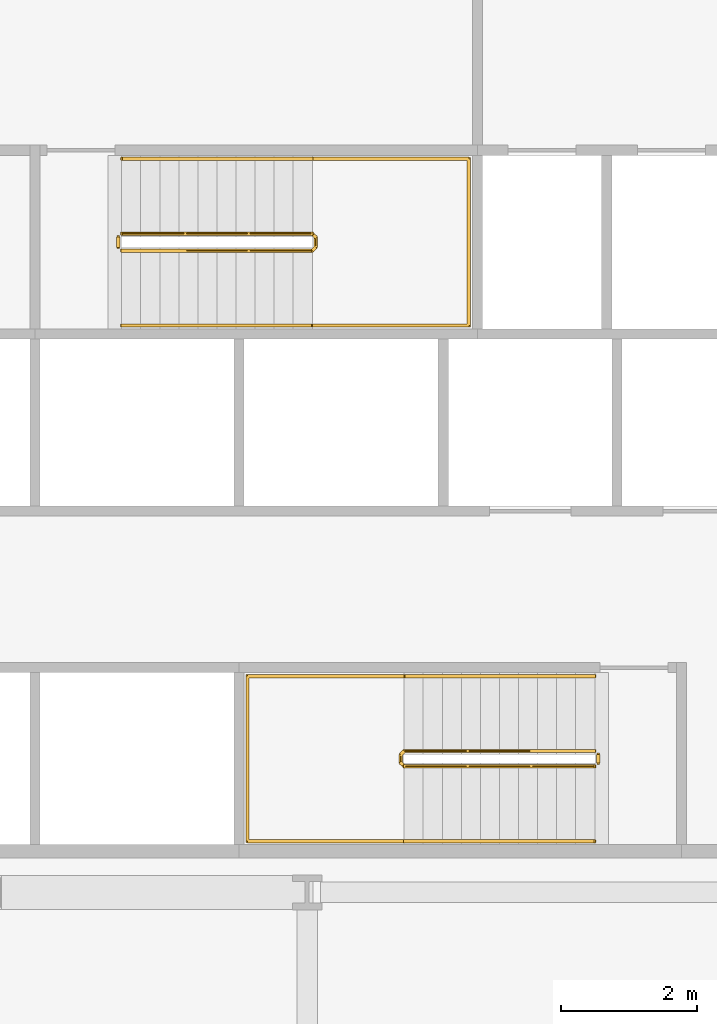
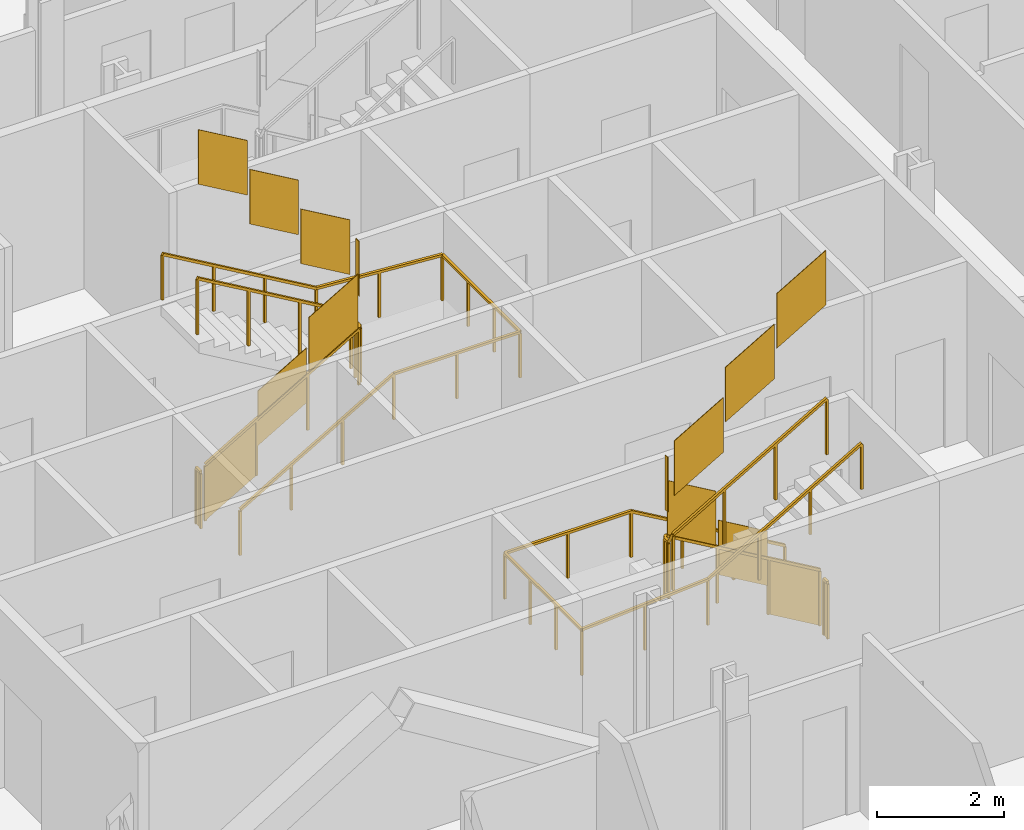
# One storey, part 18 of 21: 6 railings.
"""IFC4 building model written with IfcOpenShell, lengths in metres."""

from ifc_helpers import new_model, si_unit, direction, frame, origin, origin_2d, place, context, subcontext, project, spatial, polyline, rectangle, outline, extrude, material, type_object, element, save


model = new_model("IFC4")

# Units and contexts
model_context = context("Model", 3, precision=1e-05, world=origin(), true_north=direction((0.0, 1.0)))
body_context = subcontext(model_context, "Body", "Model", "MODEL_VIEW")
ifc_project = project(units=[si_unit("LENGTHUNIT", "METRE"), si_unit("AREAUNIT", "SQUARE_METRE"), si_unit("VOLUMEUNIT", "CUBIC_METRE"), si_unit("PLANEANGLEUNIT", "RADIAN"), si_unit("MASSUNIT", "GRAM", prefix="KILO")], contexts=[model_context])

# Site, building, storey
site_placement = place(None, origin())
site = spatial("IfcSite", under=ifc_project, at=site_placement, CompositionType="ELEMENT")
building_placement = place(site_placement, origin())
building = spatial("IfcBuilding", under=site, at=building_placement, Name="Cairn Pilgrim Tower", CompositionType="ELEMENT")
storey_placement = place(building_placement, frame((0.0, 0.0, 69.0)))
storey = spatial("IfcBuildingStorey", under=building, at=storey_placement, Name="L15", CompositionType="ELEMENT", Elevation=69.0)

# Railings
ifc_material = material(Name="Painted steel", Category="steel")
railing_type_1 = type_object("IfcRailingType", Name="STAIR GUARD 1100", PredefinedType="GUARDRAIL", material=ifc_material)
railing_1_placement = place(storey_placement, frame((11.425048828125, -3.925048828125, 0.16357421875)))
element("IfcRailing", 1, at=railing_1_placement, inside=storey, type_object=railing_type_1, Name="L15 ST-A stair guard 1", PredefinedType="GUARDRAIL", context=body_context, shape_type="SweptSolid", body=[
    extrude(rectangle(XDim=0.048095703125, YDim=0.048095703125, at=origin_2d()), frame((0.0, 0.0, 1.076171875), z_axis=(-0.863360870873, 0.0, 0.504586966384), x_axis=(0.0, -1.0, 0.0)), (0.0, 0.0, 1.0), 3.2431640625),
    extrude(rectangle(XDim=0.048095703125, YDim=0.048095703125, at=origin_2d()), frame((-2.800048828125, 0.0, 2.71240234375), z_axis=(-0.707106781187, -0.707106781187, 0.0), x_axis=(0.707106781187, -0.707106781187, 0.0)), (0.0, 0.0, 1.0), 0.07080078125),
    extrude(rectangle(XDim=0.048095703125, YDim=0.048095703125, at=origin_2d()), frame((-2.85009765625, -0.050048828125, 2.71240234375), z_axis=(0.0, -1.0, 0.0), x_axis=(1.0, 0.0, 0.0)), (0.0, 0.0, 1.0), 0.125),
    extrude(rectangle(XDim=0.048095703125, YDim=0.048095703125, at=origin_2d()), frame((-2.85009765625, -0.175048828125, 2.71240234375), z_axis=(0.280916556609, -0.279546231943, 0.91811752648), x_axis=(0.705375805398, 0.708833529934, 0.0)), (0.0, 0.0, 1.0), 0.17822265625),
    extrude(rectangle(XDim=0.048095703125, YDim=0.048095703125, at=origin_2d()), frame((-2.800048828125, -0.224853515625, 2.8759765625), z_axis=(0.863360870873, 0.0, 0.504586966384), x_axis=(0.0, 1.0, 0.0)), (0.0, 0.0, 1.0), 3.2431640625),
    extrude(rectangle(XDim=0.0419921875, YDim=0.0419921875, at=origin_2d()), origin(), (0.0, 0.0, 1.0), 1.052001953125),
    extrude(rectangle(XDim=0.0419921875, YDim=0.0419921875, at=origin_2d()), frame((-0.933349609375, 0.0, 0.54541015625)), (0.0, 0.0, 1.0), 1.052001953125),
    extrude(rectangle(XDim=0.0419921875, YDim=0.0419921875, at=origin_2d()), frame((-1.86669921875, 0.0, 1.091064453125)), (0.0, 0.0, 1.0), 1.052001953125),
    extrude(rectangle(XDim=0.0419921875, YDim=0.0419921875, at=origin_2d()), frame((-2.800048828125, 0.0, 1.636474609375)), (0.0, 0.0, 1.0), 1.052001953125),
    extrude(rectangle(XDim=0.0419921875, YDim=0.0419921875, at=origin_2d()), frame((-2.85009765625, -0.050048828125, 1.636474609375)), (0.0, 0.0, 1.0), 1.052001953125),
    extrude(rectangle(XDim=0.0419921875, YDim=0.0419921875, at=origin_2d()), frame((-2.85009765625, -0.175048828125, 1.636474609375)), (0.0, 0.0, 1.0), 1.052001953125),
    extrude(rectangle(XDim=0.0419921875, YDim=0.0419921875, at=origin_2d()), frame((-2.800048828125, -0.224853515625, 1.800048828125)), (0.0, 0.0, 1.0), 1.052001953125),
    extrude(rectangle(XDim=0.0419921875, YDim=0.0419921875, at=origin_2d()), frame((-1.86669921875, -0.224853515625, 2.345458984375)), (0.0, 0.0, 1.0), 1.052001953125),
    extrude(rectangle(XDim=0.0419921875, YDim=0.0419921875, at=origin_2d()), frame((-0.933349609375, -0.224853515625, 2.89111328125)), (0.0, 0.0, 1.0), 1.052001953125),
    extrude(rectangle(XDim=0.0419921875, YDim=0.0419921875, at=origin_2d()), frame((0.0, -0.224853515625, 3.4365234375)), (0.0, 0.0, 1.0), 1.052001953125),
    extrude(outline(polyline([(0.02099609375, 0.01220703125), (0.912353515625, 0.533203125), (0.912353515625, 1.585205078125), (0.02099609375, 1.064208984375), (0.02099609375, 0.01220703125)])), frame((0.0, -0.005859375, 0.0), z_axis=(0.0, 1.0, 0.0), x_axis=(-1.0, 0.0, 0.0)), (0.0, 0.0, 1.0), 0.011962890625),
    extrude(outline(polyline([(0.02099609375, 0.557861328125), (0.912353515625, 1.07861328125), (0.912353515625, 2.130615234375), (0.02099609375, 1.60986328125), (0.02099609375, 0.557861328125)])), frame((-0.933349609375, -0.005859375, 0.54541015625), z_axis=(0.0, 1.0, 0.0), x_axis=(-1.0, 0.0, 0.0)), (0.0, 0.0, 1.0), 0.011962890625),
    extrude(outline(polyline([(0.02099609375, 1.103271484375), (0.912353515625, 1.624267578125), (0.912353515625, 2.67626953125), (0.02099609375, 2.1552734375), (0.02099609375, 1.103271484375)])), frame((-1.86669921875, -0.005859375, 1.091064453125), z_axis=(0.0, 1.0, 0.0), x_axis=(-1.0, 0.0, 0.0)), (0.0, 0.0, 1.0), 0.011962890625),
    extrude(outline(polyline([(0.02099609375, 1.636474609375), (0.10400390625, 1.636474609375), (0.10400390625, 2.6884765625), (0.02099609375, 2.6884765625), (0.02099609375, 1.636474609375)])), frame((-2.84423828125, -0.050048828125, 1.636474609375), z_axis=(-1.0, 0.0, 0.0), x_axis=(0.0, -1.0, 0.0)), (0.0, 0.0, 1.0), 0.011962890625),
    extrude(outline(polyline([(0.02099609375, 1.812255859375), (0.912353515625, 2.333251953125), (0.912353515625, 3.38525390625), (0.02099609375, 2.8642578125), (0.02099609375, 1.812255859375)])), frame((-2.800048828125, -0.21875, 1.800048828125), z_axis=(0.0, -1.0, 0.0), x_axis=(1.0, 0.0, 0.0)), (0.0, 0.0, 1.0), 0.011962890625),
    extrude(outline(polyline([(0.02099609375, 2.35791015625), (0.912353515625, 2.878662109375), (0.912353515625, 3.9306640625), (0.02099609375, 3.409912109375), (0.02099609375, 2.35791015625)])), frame((-1.86669921875, -0.21875, 2.345458984375), z_axis=(0.0, -1.0, 0.0), x_axis=(1.0, 0.0, 0.0)), (0.0, 0.0, 1.0), 0.011962890625),
    extrude(outline(polyline([(0.02099609375, 2.9033203125), (0.912353515625, 3.42431640625), (0.912353515625, 4.476318359375), (0.02099609375, 3.955322265625), (0.02099609375, 2.9033203125)])), frame((-0.933349609375, -0.21875, 2.89111328125), z_axis=(0.0, -1.0, 0.0), x_axis=(1.0, 0.0, 0.0)), (0.0, 0.0, 1.0), 0.011962890625),
])
railing_2_placement = place(storey_placement, frame((11.47509765625, -3.97509765625, 0.0)))
element("IfcRailing", 2, at=railing_2_placement, inside=storey, type_object=railing_type_1, Name="L15 ST-A stair guard 2", PredefinedType="GUARDRAIL", context=body_context, shape_type="SweptSolid", body=[
    extrude(rectangle(XDim=0.048095703125, YDim=0.048095703125, at=origin_2d()), frame((0.0, 0.0, 1.076171875), z_axis=(0.0, -1.0, 0.0), x_axis=(1.0, 0.0, 0.0)), (0.0, 0.0, 1.0), 0.125),
    extrude(rectangle(XDim=0.0419921875, YDim=0.0419921875, at=origin_2d()), origin(), (0.0, 0.0, 1.0), 1.052001953125),
    extrude(rectangle(XDim=0.0419921875, YDim=0.0419921875, at=origin_2d()), frame((0.0, -0.125, 0.0)), (0.0, 0.0, 1.0), 1.052001953125),
    extrude(outline(polyline([(0.02099609375, 0.0), (0.10400390625, 0.0), (0.10400390625, 1.052001953125), (0.02099609375, 1.052001953125), (0.02099609375, 0.0)])), frame((0.005859375, 0.0, 0.0), z_axis=(-1.0, 0.0, 0.0), x_axis=(0.0, -1.0, 0.0)), (0.0, 0.0, 1.0), 0.011962890625),
])
railing_3_placement = place(storey_placement, frame((4.47509765625, 3.425048828125, 0.16357421875)))
element("IfcRailing", 3, at=railing_3_placement, inside=storey, type_object=railing_type_1, Name="L15 ST-B stair guard 1", PredefinedType="GUARDRAIL", context=body_context, shape_type="SweptSolid", body=[
    extrude(rectangle(XDim=0.048095703125, YDim=0.048095703125, at=origin_2d()), frame((0.0, 0.0, 1.076171875), z_axis=(0.863341702679, 0.0, 0.504619762213), x_axis=(0.0, 1.0, 0.0)), (0.0, 0.0, 1.0), 3.242919921875),
    extrude(rectangle(XDim=0.048095703125, YDim=0.048095703125, at=origin_2d()), frame((2.7998046875, 0.0, 2.71240234375), z_axis=(0.707106781187, 0.707106781187, 0.0), x_axis=(-0.707106781187, 0.707106781187, 0.0)), (0.0, 0.0, 1.0), 0.07080078125),
    extrude(rectangle(XDim=0.048095703125, YDim=0.048095703125, at=origin_2d()), frame((2.849853515625, 0.050048828125, 2.71240234375), z_axis=(0.0, 1.0, 0.0), x_axis=(-1.0, 0.0, 0.0)), (0.0, 0.0, 1.0), 0.14990234375),
    extrude(rectangle(XDim=0.048095703125, YDim=0.048095703125, at=origin_2d()), frame((2.849853515625, 0.199951171875, 2.71240234375), z_axis=(-0.280808744504, 0.280808744504, 0.917765164963), x_axis=(-0.707106781187, -0.707106781187, 0.0)), (0.0, 0.0, 1.0), 0.17822265625),
    extrude(rectangle(XDim=0.048095703125, YDim=0.048095703125, at=origin_2d()), frame((2.7998046875, 0.25, 2.8759765625), z_axis=(-0.863341702679, 0.0, 0.504619762213), x_axis=(0.0, -1.0, 0.0)), (0.0, 0.0, 1.0), 3.242919921875),
    extrude(rectangle(XDim=0.0419921875, YDim=0.0419921875, at=origin_2d()), origin(), (0.0, 0.0, 1.0), 1.052001953125),
    extrude(rectangle(XDim=0.0419921875, YDim=0.0419921875, at=origin_2d()), frame((0.933349609375, 0.0, 0.54541015625)), (0.0, 0.0, 1.0), 1.052001953125),
    extrude(rectangle(XDim=0.0419921875, YDim=0.0419921875, at=origin_2d()), frame((1.866455078125, 0.0, 1.091064453125)), (0.0, 0.0, 1.0), 1.052001953125),
    extrude(rectangle(XDim=0.0419921875, YDim=0.0419921875, at=origin_2d()), frame((2.7998046875, 0.0, 1.636474609375)), (0.0, 0.0, 1.0), 1.052001953125),
    extrude(rectangle(XDim=0.0419921875, YDim=0.0419921875, at=origin_2d()), frame((2.849853515625, 0.050048828125, 1.636474609375)), (0.0, 0.0, 1.0), 1.052001953125),
    extrude(rectangle(XDim=0.0419921875, YDim=0.0419921875, at=origin_2d()), frame((2.849853515625, 0.199951171875, 1.636474609375)), (0.0, 0.0, 1.0), 1.052001953125),
    extrude(rectangle(XDim=0.0419921875, YDim=0.0419921875, at=origin_2d()), frame((2.7998046875, 0.25, 1.800048828125)), (0.0, 0.0, 1.0), 1.052001953125),
    extrude(rectangle(XDim=0.0419921875, YDim=0.0419921875, at=origin_2d()), frame((1.866455078125, 0.25, 2.345458984375)), (0.0, 0.0, 1.0), 1.052001953125),
    extrude(rectangle(XDim=0.0419921875, YDim=0.0419921875, at=origin_2d()), frame((0.933349609375, 0.25, 2.89111328125)), (0.0, 0.0, 1.0), 1.052001953125),
    extrude(rectangle(XDim=0.0419921875, YDim=0.0419921875, at=origin_2d()), frame((0.0, 0.25, 3.4365234375)), (0.0, 0.0, 1.0), 1.052001953125),
    extrude(outline(polyline([(0.02099609375, 0.01220703125), (0.912353515625, 0.533203125), (0.912353515625, 1.585205078125), (0.02099609375, 1.064208984375), (0.02099609375, 0.01220703125)])), frame((0.0, 0.005859375, 0.0), z_axis=(0.0, -1.0, 0.0), x_axis=(1.0, 0.0, 0.0)), (0.0, 0.0, 1.0), 0.011962890625),
    extrude(outline(polyline([(0.02099609375, 0.557861328125), (0.912353515625, 1.07861328125), (0.912353515625, 2.130615234375), (0.02099609375, 1.60986328125), (0.02099609375, 0.557861328125)])), frame((0.933349609375, 0.005859375, 0.54541015625), z_axis=(0.0, -1.0, 0.0), x_axis=(1.0, 0.0, 0.0)), (0.0, 0.0, 1.0), 0.011962890625),
    extrude(outline(polyline([(0.02099609375, 1.103271484375), (0.912353515625, 1.624267578125), (0.912353515625, 2.67626953125), (0.02099609375, 2.1552734375), (0.02099609375, 1.103271484375)])), frame((1.866455078125, 0.005859375, 1.091064453125), z_axis=(0.0, -1.0, 0.0), x_axis=(1.0, 0.0, 0.0)), (0.0, 0.0, 1.0), 0.011962890625),
    extrude(outline(polyline([(0.02099609375, 1.636474609375), (0.12890625, 1.636474609375), (0.12890625, 2.6884765625), (0.02099609375, 2.6884765625), (0.02099609375, 1.636474609375)])), frame((2.84375, 0.050048828125, 1.636474609375), z_axis=(1.0, 0.0, 0.0), x_axis=(0.0, 1.0, 0.0)), (0.0, 0.0, 1.0), 0.011962890625),
    extrude(outline(polyline([(0.02099609375, 1.812255859375), (0.912353515625, 2.333251953125), (0.912353515625, 3.38525390625), (0.02099609375, 2.8642578125), (0.02099609375, 1.812255859375)])), frame((2.7998046875, 0.244140625, 1.800048828125), z_axis=(0.0, 1.0, 0.0), x_axis=(-1.0, 0.0, 0.0)), (0.0, 0.0, 1.0), 0.011962890625),
    extrude(outline(polyline([(0.02099609375, 2.35791015625), (0.912353515625, 2.878662109375), (0.912353515625, 3.9306640625), (0.02099609375, 3.409912109375), (0.02099609375, 2.35791015625)])), frame((1.866455078125, 0.244140625, 2.345458984375), z_axis=(0.0, 1.0, 0.0), x_axis=(-1.0, 0.0, 0.0)), (0.0, 0.0, 1.0), 0.011962890625),
    extrude(outline(polyline([(0.02099609375, 2.9033203125), (0.912353515625, 3.42431640625), (0.912353515625, 4.476318359375), (0.02099609375, 3.955322265625), (0.02099609375, 2.9033203125)])), frame((0.933349609375, 0.244140625, 2.89111328125), z_axis=(0.0, 1.0, 0.0), x_axis=(-1.0, 0.0, 0.0)), (0.0, 0.0, 1.0), 0.011962890625),
])
railing_4_placement = place(storey_placement, frame((4.425048828125, 3.47509765625, 0.0)))
element("IfcRailing", 4, at=railing_4_placement, inside=storey, type_object=railing_type_1, Name="L15 ST-B stair guard 2", PredefinedType="GUARDRAIL", context=body_context, shape_type="SweptSolid", body=[
    extrude(rectangle(XDim=0.048095703125, YDim=0.048095703125, at=origin_2d()), frame((0.0, 0.0, 1.076171875), z_axis=(0.0, 1.0, 0.0), x_axis=(-1.0, 0.0, 0.0)), (0.0, 0.0, 1.0), 0.14990234375),
    extrude(rectangle(XDim=0.0419921875, YDim=0.0419921875, at=origin_2d()), origin(), (0.0, 0.0, 1.0), 1.052001953125),
    extrude(rectangle(XDim=0.0419921875, YDim=0.0419921875, at=origin_2d()), frame((0.0, 0.14990234375, 0.0)), (0.0, 0.0, 1.0), 1.052001953125),
    extrude(outline(polyline([(0.02099609375, 0.0), (0.12890625, 0.0), (0.12890625, 1.052001953125), (0.02099609375, 1.052001953125), (0.02099609375, 0.0)])), frame((-0.005859375, 0.0, 0.0), z_axis=(1.0, 0.0, 0.0), x_axis=(0.0, 1.0, 0.0)), (0.0, 0.0, 1.0), 0.011962890625),
])
railing_type_2 = type_object("IfcRailingType", Name="STAIR HANDRAIL 900", PredefinedType="HANDRAIL", material=ifc_material)
railing_5_placement = place(storey_placement, frame((11.425048828125, -2.824951171875, 0.16357421875)))
element("IfcRailing", 5, at=railing_5_placement, inside=storey, type_object=railing_type_2, Name="L15 ST-A stair handrail 1", PredefinedType="HANDRAIL", context=body_context, shape_type="SweptSolid", body=[
    extrude(rectangle(XDim=0.048095703125, YDim=0.048095703125, at=origin_2d()), frame((0.0, 0.0, 0.8759765625), z_axis=(-0.863360870873, 0.0, 0.504586966384), x_axis=(0.0, -1.0, 0.0)), (0.0, 0.0, 1.0), 3.2431640625),
    extrude(rectangle(XDim=0.048095703125, YDim=0.048095703125, at=origin_2d()), frame((-2.800048828125, 0.0, 2.51220703125), z_axis=(-1.0, 0.0, 0.0), x_axis=(0.0, -1.0, 0.0)), (0.0, 0.0, 1.0), 2.300048828125),
    extrude(rectangle(XDim=0.048095703125, YDim=0.048095703125, at=origin_2d()), frame((-5.10009765625, 0.0, 2.51220703125), z_axis=(0.0, -1.0, 0.0), x_axis=(1.0, 0.0, 0.0)), (0.0, 0.0, 1.0), 2.425048828125),
    extrude(rectangle(XDim=0.048095703125, YDim=0.048095703125, at=origin_2d()), frame((-5.10009765625, -2.425048828125, 2.51220703125), z_axis=(0.997480687736, 0.0, 0.070938548008), x_axis=(0.0, 1.0, 0.0)), (0.0, 0.0, 1.0), 2.305908203125),
    extrude(rectangle(XDim=0.048095703125, YDim=0.048095703125, at=origin_2d()), frame((-2.800048828125, -2.425048828125, 2.67578125), z_axis=(0.863360870873, 0.0, 0.504586966384), x_axis=(0.0, 1.0, 0.0)), (0.0, 0.0, 1.0), 3.2431640625),
    extrude(rectangle(XDim=0.0419921875, YDim=0.0419921875, at=origin_2d()), origin(), (0.0, 0.0, 1.0), 0.851806640625),
    extrude(rectangle(XDim=0.0419921875, YDim=0.0419921875, at=origin_2d()), frame((-0.933349609375, 0.0, 0.54541015625)), (0.0, 0.0, 1.0), 0.851806640625),
    extrude(rectangle(XDim=0.0419921875, YDim=0.0419921875, at=origin_2d()), frame((-1.86669921875, 0.0, 1.091064453125)), (0.0, 0.0, 1.0), 0.851806640625),
    extrude(rectangle(XDim=0.0419921875, YDim=0.0419921875, at=origin_2d()), frame((-2.800048828125, 0.0, 1.636474609375)), (0.0, 0.0, 1.0), 0.851806640625),
    extrude(rectangle(XDim=0.0419921875, YDim=0.0419921875, at=origin_2d()), frame((-3.9501953125, 0.0, 1.636474609375)), (0.0, 0.0, 1.0), 0.851806640625),
    extrude(rectangle(XDim=0.0419921875, YDim=0.0419921875, at=origin_2d()), frame((-5.10009765625, 0.0, 1.636474609375)), (0.0, 0.0, 1.0), 0.851806640625),
    extrude(rectangle(XDim=0.0419921875, YDim=0.0419921875, at=origin_2d()), frame((-5.10009765625, -0.808349609375, 1.636474609375)), (0.0, 0.0, 1.0), 0.851806640625),
    extrude(rectangle(XDim=0.0419921875, YDim=0.0419921875, at=origin_2d()), frame((-5.10009765625, -1.61669921875, 1.636474609375)), (0.0, 0.0, 1.0), 0.851806640625),
    extrude(rectangle(XDim=0.0419921875, YDim=0.0419921875, at=origin_2d()), frame((-5.10009765625, -2.425048828125, 1.636474609375)), (0.0, 0.0, 1.0), 0.851806640625),
    extrude(rectangle(XDim=0.0419921875, YDim=0.0419921875, at=origin_2d()), frame((-3.9501953125, -2.425048828125, 1.71826171875)), (0.0, 0.0, 1.0), 0.851806640625),
    extrude(rectangle(XDim=0.0419921875, YDim=0.0419921875, at=origin_2d()), frame((-2.800048828125, -2.425048828125, 1.800048828125)), (0.0, 0.0, 1.0), 0.851806640625),
    extrude(rectangle(XDim=0.0419921875, YDim=0.0419921875, at=origin_2d()), frame((-1.86669921875, -2.425048828125, 2.345458984375)), (0.0, 0.0, 1.0), 0.851806640625),
    extrude(rectangle(XDim=0.0419921875, YDim=0.0419921875, at=origin_2d()), frame((-0.933349609375, -2.425048828125, 2.89111328125)), (0.0, 0.0, 1.0), 0.851806640625),
    extrude(rectangle(XDim=0.0419921875, YDim=0.0419921875, at=origin_2d()), frame((0.0, -2.425048828125, 3.4365234375)), (0.0, 0.0, 1.0), 0.851806640625),
])
railing_6_placement = place(storey_placement, frame((4.47509765625, 2.324951171875, 0.16357421875)))
element("IfcRailing", 6, at=railing_6_placement, inside=storey, type_object=railing_type_2, Name="L15 ST-B stair handrail 1", PredefinedType="HANDRAIL", context=body_context, shape_type="SweptSolid", body=[
    extrude(rectangle(XDim=0.048095703125, YDim=0.048095703125, at=origin_2d()), frame((0.0, 0.0, 0.8759765625), z_axis=(0.863341702679, 0.0, 0.504619762213), x_axis=(0.0, 1.0, 0.0)), (0.0, 0.0, 1.0), 3.242919921875),
    extrude(rectangle(XDim=0.048095703125, YDim=0.048095703125, at=origin_2d()), frame((2.7998046875, 0.0, 2.51220703125), z_axis=(1.0, 0.0, 0.0), x_axis=(0.0, 1.0, 0.0)), (0.0, 0.0, 1.0), 2.300048828125),
    extrude(rectangle(XDim=0.048095703125, YDim=0.048095703125, at=origin_2d()), frame((5.099853515625, 0.0, 2.51220703125), z_axis=(0.0, 1.0, 0.0), x_axis=(-1.0, 0.0, 0.0)), (0.0, 0.0, 1.0), 2.449951171875),
    extrude(rectangle(XDim=0.048095703125, YDim=0.048095703125, at=origin_2d()), frame((5.099853515625, 2.449951171875, 2.51220703125), z_axis=(-0.997480687736, 0.0, 0.070938548008), x_axis=(0.0, -1.0, 0.0)), (0.0, 0.0, 1.0), 2.305908203125),
    extrude(rectangle(XDim=0.048095703125, YDim=0.048095703125, at=origin_2d()), frame((2.7998046875, 2.449951171875, 2.67578125), z_axis=(-0.863341702679, 0.0, 0.504619762213), x_axis=(0.0, -1.0, 0.0)), (0.0, 0.0, 1.0), 3.242919921875),
    extrude(rectangle(XDim=0.0419921875, YDim=0.0419921875, at=origin_2d()), origin(), (0.0, 0.0, 1.0), 0.851806640625),
    extrude(rectangle(XDim=0.0419921875, YDim=0.0419921875, at=origin_2d()), frame((0.933349609375, 0.0, 0.54541015625)), (0.0, 0.0, 1.0), 0.851806640625),
    extrude(rectangle(XDim=0.0419921875, YDim=0.0419921875, at=origin_2d()), frame((1.866455078125, 0.0, 1.091064453125)), (0.0, 0.0, 1.0), 0.851806640625),
    extrude(rectangle(XDim=0.0419921875, YDim=0.0419921875, at=origin_2d()), frame((2.7998046875, 0.0, 1.636474609375)), (0.0, 0.0, 1.0), 0.851806640625),
    extrude(rectangle(XDim=0.0419921875, YDim=0.0419921875, at=origin_2d()), frame((3.94970703125, 0.0, 1.636474609375)), (0.0, 0.0, 1.0), 0.851806640625),
    extrude(rectangle(XDim=0.0419921875, YDim=0.0419921875, at=origin_2d()), frame((5.099853515625, 0.0, 1.636474609375)), (0.0, 0.0, 1.0), 0.851806640625),
    extrude(rectangle(XDim=0.0419921875, YDim=0.0419921875, at=origin_2d()), frame((5.099853515625, 0.816650390625, 1.636474609375)), (0.0, 0.0, 1.0), 0.851806640625),
    extrude(rectangle(XDim=0.0419921875, YDim=0.0419921875, at=origin_2d()), frame((5.099853515625, 1.63330078125, 1.636474609375)), (0.0, 0.0, 1.0), 0.851806640625),
    extrude(rectangle(XDim=0.0419921875, YDim=0.0419921875, at=origin_2d()), frame((5.099853515625, 2.449951171875, 1.636474609375)), (0.0, 0.0, 1.0), 0.851806640625),
    extrude(rectangle(XDim=0.0419921875, YDim=0.0419921875, at=origin_2d()), frame((3.94970703125, 2.449951171875, 1.71826171875)), (0.0, 0.0, 1.0), 0.851806640625),
    extrude(rectangle(XDim=0.0419921875, YDim=0.0419921875, at=origin_2d()), frame((2.7998046875, 2.449951171875, 1.800048828125)), (0.0, 0.0, 1.0), 0.851806640625),
    extrude(rectangle(XDim=0.0419921875, YDim=0.0419921875, at=origin_2d()), frame((1.866455078125, 2.449951171875, 2.345458984375)), (0.0, 0.0, 1.0), 0.851806640625),
    extrude(rectangle(XDim=0.0419921875, YDim=0.0419921875, at=origin_2d()), frame((0.933349609375, 2.449951171875, 2.89111328125)), (0.0, 0.0, 1.0), 0.851806640625),
    extrude(rectangle(XDim=0.0419921875, YDim=0.0419921875, at=origin_2d()), frame((0.0, 2.449951171875, 3.4365234375)), (0.0, 0.0, 1.0), 0.851806640625),
])

save(model, "model.ifc")
